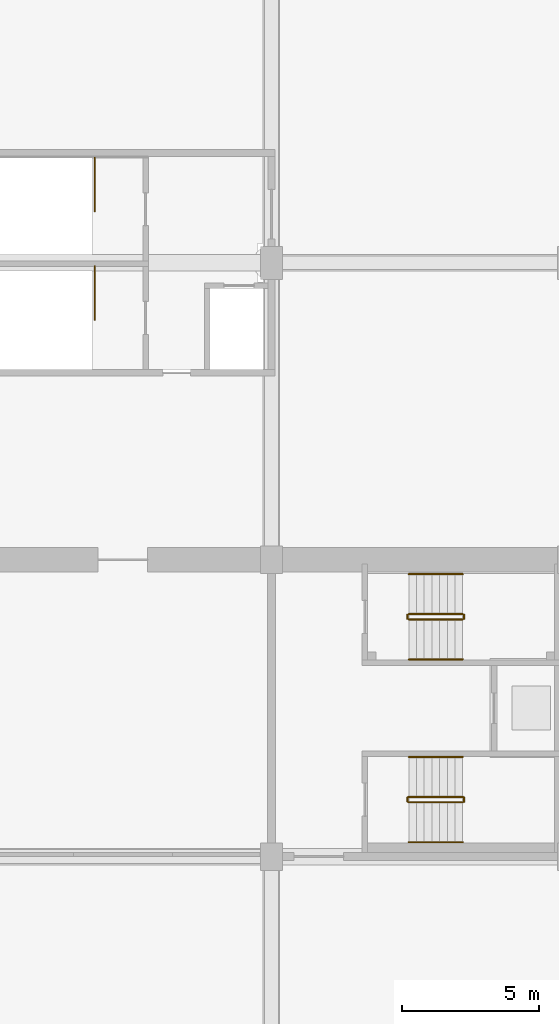
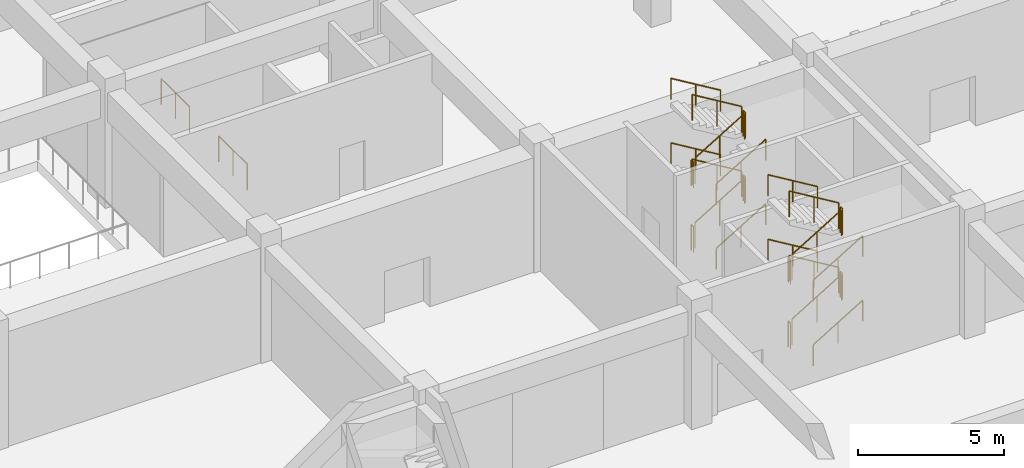
# One storey, part 86 of 101: 26 railings.
"""IFC4 building model written with IfcOpenShell, lengths in metres."""

from ifc_helpers import new_model, si_unit, direction, frame, origin, origin_2d, place, context, subcontext, project, spatial, circle, extrude, material, type_object, element, save


model = new_model("IFC4")

# Units and contexts
model_context = context("Model", 3, precision=1e-05, world=origin(), true_north=direction((0.0, 1.0)))
body_context = subcontext(model_context, "Body", "Model", "MODEL_VIEW")
ifc_project = project(units=[si_unit("LENGTHUNIT", "METRE"), si_unit("AREAUNIT", "SQUARE_METRE"), si_unit("VOLUMEUNIT", "CUBIC_METRE"), si_unit("PLANEANGLEUNIT", "RADIAN"), si_unit("MASSUNIT", "GRAM", prefix="KILO")], contexts=[model_context])

# Site, building, storey
site_placement = place(None, origin())
site = spatial("IfcSite", under=ifc_project, at=site_placement, CompositionType="ELEMENT")
building_placement = place(site_placement, origin())
building = spatial("IfcBuilding", under=site, at=building_placement, Name="Magnolia Steps Interchange", CompositionType="ELEMENT")
storey_placement = place(building_placement, frame((0.0, 0.0, -5.39990234375)))
storey = spatial("IfcBuildingStorey", under=building, at=storey_placement, Name="B1", CompositionType="ELEMENT", Elevation=-5.39990234375)

# Railings
ifc_material_1 = material(Name="Stainless steel grade 304", Category="steel")
railing_type_1 = type_object("IfcRailingType", Name="Stair guard 1100", PredefinedType="GUARDRAIL", material=ifc_material_1)
railing_1_placement = place(storey_placement, frame((112.199951171875, 51.02587890625, 0.168701171875)))
element("IfcRailing", 1, at=railing_1_placement, inside=storey, type_object=railing_type_1, Name="B1 ST7 stair guard 1", PredefinedType="GUARDRAIL", context=body_context, shape_type="SweptSolid", body=[
    extrude(circle(Radius=0.02392578125, at=origin_2d()), frame((0.0, 0.0, 1.076171875), z_axis=(0.856493463811, 0.0, 0.516157869696), x_axis=(0.0, 1.0, 0.0)), (0.0, 0.0, 1.0), 2.288330078125),
    extrude(circle(Radius=0.02099609375, at=origin_2d()), origin(), (0.0, 0.0, 1.0), 1.052001953125),
    extrude(circle(Radius=0.02099609375, at=origin_2d()), frame((0.97998046875, 0.0, 0.590576171875)), (0.0, 0.0, 1.0), 1.052001953125),
    extrude(circle(Radius=0.02099609375, at=origin_2d()), frame((1.9599609375, 0.0, 1.18115234375)), (0.0, 0.0, 1.0), 1.052001953125),
])
railing_2_placement = place(storey_placement, frame((114.2099609375, 51.050048828125, 1.349853515625)))
element("IfcRailing", 2, at=railing_2_placement, inside=storey, type_object=railing_type_1, Name="B1 ST7 stair guard 2", PredefinedType="GUARDRAIL", context=body_context, shape_type="SweptSolid", body=[
    extrude(circle(Radius=0.02392578125, at=origin_2d()), frame((0.0, 0.0, 1.076171875), z_axis=(0.0, 1.0, 0.0), x_axis=(-1.0, 0.0, 0.0)), (0.0, 0.0, 1.0), 0.14990234375),
    extrude(circle(Radius=0.02099609375, at=origin_2d()), origin(), (0.0, 0.0, 1.0), 1.052001953125),
    extrude(circle(Radius=0.02099609375, at=origin_2d()), frame((0.0, 0.14990234375, 0.0)), (0.0, 0.0, 1.0), 1.052001953125),
])
railing_3_placement = place(storey_placement, frame((114.159912109375, 51.22412109375, 1.5185546875)))
element("IfcRailing", 3, at=railing_3_placement, inside=storey, type_object=railing_type_1, Name="B1 ST7 stair guard 3", PredefinedType="GUARDRAIL", context=body_context, shape_type="SweptSolid", body=[
    extrude(circle(Radius=0.02392578125, at=origin_2d()), frame((0.0, 0.0, 1.076171875), z_axis=(-0.856446297458, 0.0, 0.516236127728), x_axis=(0.0, -1.0, 0.0)), (0.0, 0.0, 1.0), 2.28857421875),
    extrude(circle(Radius=0.02099609375, at=origin_2d()), origin(), (0.0, 0.0, 1.0), 1.052001953125),
    extrude(circle(Radius=0.02099609375, at=origin_2d()), frame((-0.97998046875, 0.0, 0.5908203125)), (0.0, 0.0, 1.0), 1.052001953125),
    extrude(circle(Radius=0.02099609375, at=origin_2d()), frame((-1.9599609375, 0.0, 1.181396484375)), (0.0, 0.0, 1.0), 1.052001953125),
])
railing_4_placement = place(storey_placement, frame((112.14990234375, 51.050048828125, 2.699951171875)))
element("IfcRailing", 4, at=railing_4_placement, inside=storey, type_object=railing_type_1, Name="B1 ST7 stair guard 4", PredefinedType="GUARDRAIL", context=body_context, shape_type="SweptSolid", body=[
    extrude(circle(Radius=0.02392578125, at=origin_2d()), frame((0.0, 0.0, 1.076171875), z_axis=(0.0, 1.0, 0.0), x_axis=(-1.0, 0.0, 0.0)), (0.0, 0.0, 1.0), 0.14990234375),
    extrude(circle(Radius=0.02099609375, at=origin_2d()), origin(), (0.0, 0.0, 1.0), 1.052001953125),
    extrude(circle(Radius=0.02099609375, at=origin_2d()), frame((0.0, 0.14990234375, 0.0)), (0.0, 0.0, 1.0), 1.052001953125),
])
railing_5_placement = place(storey_placement, frame((112.199951171875, 51.02587890625, 2.86865234375)))
element("IfcRailing", 5, at=railing_5_placement, inside=storey, type_object=railing_type_1, Name="B1 ST7 stair guard 5", PredefinedType="GUARDRAIL", context=body_context, shape_type="SweptSolid", body=[
    extrude(circle(Radius=0.02392578125, at=origin_2d()), frame((0.0, 0.0, 1.076171875), z_axis=(0.856493463811, 0.0, 0.516157869696), x_axis=(0.0, 1.0, 0.0)), (0.0, 0.0, 1.0), 2.288330078125),
    extrude(circle(Radius=0.02099609375, at=origin_2d()), origin(), (0.0, 0.0, 1.0), 1.052001953125),
    extrude(circle(Radius=0.02099609375, at=origin_2d()), frame((0.97998046875, 0.0, 0.590576171875)), (0.0, 0.0, 1.0), 1.052001953125),
    extrude(circle(Radius=0.02099609375, at=origin_2d()), frame((1.9599609375, 0.0, 1.18115234375)), (0.0, 0.0, 1.0), 1.052001953125),
])
railing_6_placement = place(storey_placement, frame((114.2099609375, 51.050048828125, 4.0498046875)))
element("IfcRailing", 6, at=railing_6_placement, inside=storey, type_object=railing_type_1, Name="B1 ST7 stair guard 6", PredefinedType="GUARDRAIL", context=body_context, shape_type="SweptSolid", body=[
    extrude(circle(Radius=0.02392578125, at=origin_2d()), frame((0.0, 0.0, 1.076171875), z_axis=(0.0, 1.0, 0.0), x_axis=(-1.0, 0.0, 0.0)), (0.0, 0.0, 1.0), 0.14990234375),
    extrude(circle(Radius=0.02099609375, at=origin_2d()), origin(), (0.0, 0.0, 1.0), 1.052001953125),
    extrude(circle(Radius=0.02099609375, at=origin_2d()), frame((0.0, 0.14990234375, 0.0)), (0.0, 0.0, 1.0), 1.052001953125),
])
railing_7_placement = place(storey_placement, frame((114.159912109375, 51.22412109375, 4.21875)))
element("IfcRailing", 7, at=railing_7_placement, inside=storey, type_object=railing_type_1, Name="B1 ST7 stair guard 7", PredefinedType="GUARDRAIL", context=body_context, shape_type="SweptSolid", body=[
    extrude(circle(Radius=0.02392578125, at=origin_2d()), frame((0.0, 0.0, 1.076171875), z_axis=(-0.856493463811, 0.0, 0.516157869696), x_axis=(0.0, -1.0, 0.0)), (0.0, 0.0, 1.0), 2.288330078125),
    extrude(circle(Radius=0.02099609375, at=origin_2d()), origin(), (0.0, 0.0, 1.0), 1.052001953125),
    extrude(circle(Radius=0.02099609375, at=origin_2d()), frame((-0.97998046875, 0.0, 0.590576171875)), (0.0, 0.0, 1.0), 1.052001953125),
    extrude(circle(Radius=0.02099609375, at=origin_2d()), frame((-1.9599609375, 0.0, 1.18115234375)), (0.0, 0.0, 1.0), 1.052001953125),
])
railing_8_placement = place(storey_placement, frame((112.14990234375, 51.050048828125, 0.0)))
element("IfcRailing", 8, at=railing_8_placement, inside=storey, type_object=railing_type_1, Name="B1 ST7 stair guard 8", PredefinedType="GUARDRAIL", context=body_context, shape_type="SweptSolid", body=[
    extrude(circle(Radius=0.02392578125, at=origin_2d()), frame((0.0, 0.0, 1.076171875), z_axis=(0.0, 1.0, 0.0), x_axis=(-1.0, 0.0, 0.0)), (0.0, 0.0, 1.0), 0.14990234375),
    extrude(circle(Radius=0.02099609375, at=origin_2d()), origin(), (0.0, 0.0, 1.0), 1.052001953125),
    extrude(circle(Radius=0.02099609375, at=origin_2d()), frame((0.0, 0.14990234375, 0.0)), (0.0, 0.0, 1.0), 1.052001953125),
])
railing_9_placement = place(storey_placement, frame((112.199951171875, 44.3759765625, 0.168701171875)))
element("IfcRailing", 9, at=railing_9_placement, inside=storey, type_object=railing_type_1, Name="B1 ST8 stair guard 1", PredefinedType="GUARDRAIL", context=body_context, shape_type="SweptSolid", body=[
    extrude(circle(Radius=0.02392578125, at=origin_2d()), frame((0.0, 0.0, 1.076171875), z_axis=(0.856493463811, 0.0, 0.516157869696), x_axis=(0.0, 1.0, 0.0)), (0.0, 0.0, 1.0), 2.288330078125),
    extrude(circle(Radius=0.02099609375, at=origin_2d()), origin(), (0.0, 0.0, 1.0), 1.052001953125),
    extrude(circle(Radius=0.02099609375, at=origin_2d()), frame((0.97998046875, 0.0, 0.590576171875)), (0.0, 0.0, 1.0), 1.052001953125),
    extrude(circle(Radius=0.02099609375, at=origin_2d()), frame((1.9599609375, 0.0, 1.18115234375)), (0.0, 0.0, 1.0), 1.052001953125),
])
railing_10_placement = place(storey_placement, frame((114.2099609375, 44.39990234375, 1.349853515625)))
element("IfcRailing", 10, at=railing_10_placement, inside=storey, type_object=railing_type_1, Name="B1 ST8 stair guard 2", PredefinedType="GUARDRAIL", context=body_context, shape_type="SweptSolid", body=[
    extrude(circle(Radius=0.02392578125, at=origin_2d()), frame((0.0, 0.0, 1.076171875), z_axis=(0.0, 1.0, 0.0), x_axis=(-1.0, 0.0, 0.0)), (0.0, 0.0, 1.0), 0.150146484375),
    extrude(circle(Radius=0.02099609375, at=origin_2d()), origin(), (0.0, 0.0, 1.0), 1.052001953125),
    extrude(circle(Radius=0.02099609375, at=origin_2d()), frame((0.0, 0.150146484375, 0.0)), (0.0, 0.0, 1.0), 1.052001953125),
])
railing_11_placement = place(storey_placement, frame((114.159912109375, 44.573974609375, 1.5185546875)))
element("IfcRailing", 11, at=railing_11_placement, inside=storey, type_object=railing_type_1, Name="B1 ST8 stair guard 3", PredefinedType="GUARDRAIL", context=body_context, shape_type="SweptSolid", body=[
    extrude(circle(Radius=0.02392578125, at=origin_2d()), frame((0.0, 0.0, 1.076171875), z_axis=(-0.856446297458, 0.0, 0.516236127728), x_axis=(0.0, -1.0, 0.0)), (0.0, 0.0, 1.0), 2.28857421875),
    extrude(circle(Radius=0.02099609375, at=origin_2d()), origin(), (0.0, 0.0, 1.0), 1.052001953125),
    extrude(circle(Radius=0.02099609375, at=origin_2d()), frame((-0.97998046875, 0.0, 0.5908203125)), (0.0, 0.0, 1.0), 1.052001953125),
    extrude(circle(Radius=0.02099609375, at=origin_2d()), frame((-1.9599609375, 0.0, 1.181396484375)), (0.0, 0.0, 1.0), 1.052001953125),
])
railing_12_placement = place(storey_placement, frame((112.14990234375, 44.39990234375, 2.699951171875)))
element("IfcRailing", 12, at=railing_12_placement, inside=storey, type_object=railing_type_1, Name="B1 ST8 stair guard 4", PredefinedType="GUARDRAIL", context=body_context, shape_type="SweptSolid", body=[
    extrude(circle(Radius=0.02392578125, at=origin_2d()), frame((0.0, 0.0, 1.076171875), z_axis=(0.0, 1.0, 0.0), x_axis=(-1.0, 0.0, 0.0)), (0.0, 0.0, 1.0), 0.150146484375),
    extrude(circle(Radius=0.02099609375, at=origin_2d()), origin(), (0.0, 0.0, 1.0), 1.052001953125),
    extrude(circle(Radius=0.02099609375, at=origin_2d()), frame((0.0, 0.150146484375, 0.0)), (0.0, 0.0, 1.0), 1.052001953125),
])
railing_13_placement = place(storey_placement, frame((112.199951171875, 44.3759765625, 2.86865234375)))
element("IfcRailing", 13, at=railing_13_placement, inside=storey, type_object=railing_type_1, Name="B1 ST8 stair guard 5", PredefinedType="GUARDRAIL", context=body_context, shape_type="SweptSolid", body=[
    extrude(circle(Radius=0.02392578125, at=origin_2d()), frame((0.0, 0.0, 1.076171875), z_axis=(0.856493463811, 0.0, 0.516157869696), x_axis=(0.0, 1.0, 0.0)), (0.0, 0.0, 1.0), 2.288330078125),
    extrude(circle(Radius=0.02099609375, at=origin_2d()), origin(), (0.0, 0.0, 1.0), 1.052001953125),
    extrude(circle(Radius=0.02099609375, at=origin_2d()), frame((0.97998046875, 0.0, 0.590576171875)), (0.0, 0.0, 1.0), 1.052001953125),
    extrude(circle(Radius=0.02099609375, at=origin_2d()), frame((1.9599609375, 0.0, 1.18115234375)), (0.0, 0.0, 1.0), 1.052001953125),
])
railing_14_placement = place(storey_placement, frame((114.2099609375, 44.39990234375, 4.0498046875)))
element("IfcRailing", 14, at=railing_14_placement, inside=storey, type_object=railing_type_1, Name="B1 ST8 stair guard 6", PredefinedType="GUARDRAIL", context=body_context, shape_type="SweptSolid", body=[
    extrude(circle(Radius=0.02392578125, at=origin_2d()), frame((0.0, 0.0, 1.076171875), z_axis=(0.0, 1.0, 0.0), x_axis=(-1.0, 0.0, 0.0)), (0.0, 0.0, 1.0), 0.150146484375),
    extrude(circle(Radius=0.02099609375, at=origin_2d()), origin(), (0.0, 0.0, 1.0), 1.052001953125),
    extrude(circle(Radius=0.02099609375, at=origin_2d()), frame((0.0, 0.150146484375, 0.0)), (0.0, 0.0, 1.0), 1.052001953125),
])
railing_15_placement = place(storey_placement, frame((114.159912109375, 44.573974609375, 4.21875)))
element("IfcRailing", 15, at=railing_15_placement, inside=storey, type_object=railing_type_1, Name="B1 ST8 stair guard 7", PredefinedType="GUARDRAIL", context=body_context, shape_type="SweptSolid", body=[
    extrude(circle(Radius=0.02392578125, at=origin_2d()), frame((0.0, 0.0, 1.076171875), z_axis=(-0.856493463811, 0.0, 0.516157869696), x_axis=(0.0, -1.0, 0.0)), (0.0, 0.0, 1.0), 2.288330078125),
    extrude(circle(Radius=0.02099609375, at=origin_2d()), origin(), (0.0, 0.0, 1.0), 1.052001953125),
    extrude(circle(Radius=0.02099609375, at=origin_2d()), frame((-0.97998046875, 0.0, 0.590576171875)), (0.0, 0.0, 1.0), 1.052001953125),
    extrude(circle(Radius=0.02099609375, at=origin_2d()), frame((-1.9599609375, 0.0, 1.18115234375)), (0.0, 0.0, 1.0), 1.052001953125),
])
railing_16_placement = place(storey_placement, frame((112.14990234375, 44.39990234375, 0.0)))
element("IfcRailing", 16, at=railing_16_placement, inside=storey, type_object=railing_type_1, Name="B1 ST8 stair guard 8", PredefinedType="GUARDRAIL", context=body_context, shape_type="SweptSolid", body=[
    extrude(circle(Radius=0.02392578125, at=origin_2d()), frame((0.0, 0.0, 1.076171875), z_axis=(0.0, 1.0, 0.0), x_axis=(-1.0, 0.0, 0.0)), (0.0, 0.0, 1.0), 0.150146484375),
    extrude(circle(Radius=0.02099609375, at=origin_2d()), origin(), (0.0, 0.0, 1.0), 1.052001953125),
    extrude(circle(Radius=0.02099609375, at=origin_2d()), frame((0.0, 0.150146484375, 0.0)), (0.0, 0.0, 1.0), 1.052001953125),
])
for number, where, name in (
    (17, (100.77490234375, 63.875, 0.0), "B1 ST11 top well guard 1"),
    (18, (100.77490234375, 67.824951171875, 0.0), "B1 ST12 top well guard 1"),
):
    element("IfcRailing", number, at=place(storey_placement, frame(where)), inside=storey, type_object=railing_type_1, Name=name, PredefinedType="GUARDRAIL", context=body_context, shape_type="SweptSolid", body=[
        extrude(circle(Radius=0.02392578125, at=origin_2d()), frame((0.0, 0.0, 1.076171875), z_axis=(0.0, -1.0, 0.0), x_axis=(1.0, 0.0, 0.0)), (0.0, 0.0, 1.0), 1.949951171875),
        extrude(circle(Radius=0.02099609375, at=origin_2d()), origin(), (0.0, 0.0, 1.0), 1.052001953125),
        extrude(circle(Radius=0.02099609375, at=origin_2d()), frame((0.0, -0.97509765625, 0.0)), (0.0, 0.0, 1.0), 1.052001953125),
        extrude(circle(Radius=0.02099609375, at=origin_2d()), frame((0.0, -1.949951171875, 0.0)), (0.0, 0.0, 1.0), 1.052001953125),
    ])
ifc_material_2 = material(Name="Stainless steel grade 304", Category="steel")
railing_type_2 = type_object("IfcRailingType", Name="Stair handrail 900", PredefinedType="HANDRAIL", material=ifc_material_2)
railing_17_placement = place(storey_placement, frame((112.199951171875, 49.573974609375, 0.168701171875)))
element("IfcRailing", 19, at=railing_17_placement, inside=storey, type_object=railing_type_2, Name="B1 ST7 stair handrail 1", PredefinedType="HANDRAIL", context=body_context, shape_type="SweptSolid", body=[
    extrude(circle(Radius=0.02392578125, at=origin_2d()), frame((0.0, 0.0, 0.8759765625), z_axis=(0.856493463811, 0.0, 0.516157869696), x_axis=(0.0, 1.0, 0.0)), (0.0, 0.0, 1.0), 2.288330078125),
    extrude(circle(Radius=0.02099609375, at=origin_2d()), origin(), (0.0, 0.0, 1.0), 0.851806640625),
    extrude(circle(Radius=0.02099609375, at=origin_2d()), frame((0.97998046875, 0.0, 0.590576171875)), (0.0, 0.0, 1.0), 0.851806640625),
    extrude(circle(Radius=0.02099609375, at=origin_2d()), frame((1.9599609375, 0.0, 1.18115234375)), (0.0, 0.0, 1.0), 0.851806640625),
])
railing_18_placement = place(storey_placement, frame((114.159912109375, 52.676025390625, 1.5185546875)))
element("IfcRailing", 20, at=railing_18_placement, inside=storey, type_object=railing_type_2, Name="B1 ST7 stair handrail 2", PredefinedType="HANDRAIL", context=body_context, shape_type="SweptSolid", body=[
    extrude(circle(Radius=0.02392578125, at=origin_2d()), frame((0.0, 0.0, 0.8759765625), z_axis=(-0.856446297458, 0.0, 0.516236127728), x_axis=(0.0, -1.0, 0.0)), (0.0, 0.0, 1.0), 2.28857421875),
    extrude(circle(Radius=0.02099609375, at=origin_2d()), origin(), (0.0, 0.0, 1.0), 0.851806640625),
    extrude(circle(Radius=0.02099609375, at=origin_2d()), frame((-0.97998046875, 0.0, 0.5908203125)), (0.0, 0.0, 1.0), 0.851806640625),
    extrude(circle(Radius=0.02099609375, at=origin_2d()), frame((-1.9599609375, 0.0, 1.181396484375)), (0.0, 0.0, 1.0), 0.851806640625),
])
railing_19_placement = place(storey_placement, frame((112.199951171875, 49.573974609375, 2.86865234375)))
element("IfcRailing", 21, at=railing_19_placement, inside=storey, type_object=railing_type_2, Name="B1 ST7 stair handrail 3", PredefinedType="HANDRAIL", context=body_context, shape_type="SweptSolid", body=[
    extrude(circle(Radius=0.02392578125, at=origin_2d()), frame((0.0, 0.0, 0.8759765625), z_axis=(0.856493463811, 0.0, 0.516157869696), x_axis=(0.0, 1.0, 0.0)), (0.0, 0.0, 1.0), 2.288330078125),
    extrude(circle(Radius=0.02099609375, at=origin_2d()), origin(), (0.0, 0.0, 1.0), 0.851806640625),
    extrude(circle(Radius=0.02099609375, at=origin_2d()), frame((0.97998046875, 0.0, 0.590576171875)), (0.0, 0.0, 1.0), 0.851806640625),
    extrude(circle(Radius=0.02099609375, at=origin_2d()), frame((1.9599609375, 0.0, 1.18115234375)), (0.0, 0.0, 1.0), 0.851806640625),
])
railing_20_placement = place(storey_placement, frame((114.159912109375, 52.676025390625, 4.21875)))
element("IfcRailing", 22, at=railing_20_placement, inside=storey, type_object=railing_type_2, Name="B1 ST7 stair handrail 4", PredefinedType="HANDRAIL", context=body_context, shape_type="SweptSolid", body=[
    extrude(circle(Radius=0.02392578125, at=origin_2d()), frame((0.0, 0.0, 0.8759765625), z_axis=(-0.856493463811, 0.0, 0.516157869696), x_axis=(0.0, -1.0, 0.0)), (0.0, 0.0, 1.0), 2.288330078125),
    extrude(circle(Radius=0.02099609375, at=origin_2d()), origin(), (0.0, 0.0, 1.0), 0.851806640625),
    extrude(circle(Radius=0.02099609375, at=origin_2d()), frame((-0.97998046875, 0.0, 0.590576171875)), (0.0, 0.0, 1.0), 0.851806640625),
    extrude(circle(Radius=0.02099609375, at=origin_2d()), frame((-1.9599609375, 0.0, 1.18115234375)), (0.0, 0.0, 1.0), 0.851806640625),
])
railing_21_placement = place(storey_placement, frame((112.199951171875, 42.924072265625, 0.168701171875)))
element("IfcRailing", 23, at=railing_21_placement, inside=storey, type_object=railing_type_2, Name="B1 ST8 stair handrail 1", PredefinedType="HANDRAIL", context=body_context, shape_type="SweptSolid", body=[
    extrude(circle(Radius=0.02392578125, at=origin_2d()), frame((0.0, 0.0, 0.8759765625), z_axis=(0.856493463811, 0.0, 0.516157869696), x_axis=(0.0, 1.0, 0.0)), (0.0, 0.0, 1.0), 2.288330078125),
    extrude(circle(Radius=0.02099609375, at=origin_2d()), origin(), (0.0, 0.0, 1.0), 0.851806640625),
    extrude(circle(Radius=0.02099609375, at=origin_2d()), frame((0.97998046875, 0.0, 0.590576171875)), (0.0, 0.0, 1.0), 0.851806640625),
    extrude(circle(Radius=0.02099609375, at=origin_2d()), frame((1.9599609375, 0.0, 1.18115234375)), (0.0, 0.0, 1.0), 0.851806640625),
])
railing_22_placement = place(storey_placement, frame((114.159912109375, 46.02587890625, 1.5185546875)))
element("IfcRailing", 24, at=railing_22_placement, inside=storey, type_object=railing_type_2, Name="B1 ST8 stair handrail 2", PredefinedType="HANDRAIL", context=body_context, shape_type="SweptSolid", body=[
    extrude(circle(Radius=0.02392578125, at=origin_2d()), frame((0.0, 0.0, 0.8759765625), z_axis=(-0.856446297458, 0.0, 0.516236127728), x_axis=(0.0, -1.0, 0.0)), (0.0, 0.0, 1.0), 2.28857421875),
    extrude(circle(Radius=0.02099609375, at=origin_2d()), origin(), (0.0, 0.0, 1.0), 0.851806640625),
    extrude(circle(Radius=0.02099609375, at=origin_2d()), frame((-0.97998046875, 0.0, 0.5908203125)), (0.0, 0.0, 1.0), 0.851806640625),
    extrude(circle(Radius=0.02099609375, at=origin_2d()), frame((-1.9599609375, 0.0, 1.181396484375)), (0.0, 0.0, 1.0), 0.851806640625),
])
railing_23_placement = place(storey_placement, frame((112.199951171875, 42.924072265625, 2.86865234375)))
element("IfcRailing", 25, at=railing_23_placement, inside=storey, type_object=railing_type_2, Name="B1 ST8 stair handrail 3", PredefinedType="HANDRAIL", context=body_context, shape_type="SweptSolid", body=[
    extrude(circle(Radius=0.02392578125, at=origin_2d()), frame((0.0, 0.0, 0.8759765625), z_axis=(0.856493463811, 0.0, 0.516157869696), x_axis=(0.0, 1.0, 0.0)), (0.0, 0.0, 1.0), 2.288330078125),
    extrude(circle(Radius=0.02099609375, at=origin_2d()), origin(), (0.0, 0.0, 1.0), 0.851806640625),
    extrude(circle(Radius=0.02099609375, at=origin_2d()), frame((0.97998046875, 0.0, 0.590576171875)), (0.0, 0.0, 1.0), 0.851806640625),
    extrude(circle(Radius=0.02099609375, at=origin_2d()), frame((1.9599609375, 0.0, 1.18115234375)), (0.0, 0.0, 1.0), 0.851806640625),
])
railing_24_placement = place(storey_placement, frame((114.159912109375, 46.02587890625, 4.21875)))
element("IfcRailing", 26, at=railing_24_placement, inside=storey, type_object=railing_type_2, Name="B1 ST8 stair handrail 4", PredefinedType="HANDRAIL", context=body_context, shape_type="SweptSolid", body=[
    extrude(circle(Radius=0.02392578125, at=origin_2d()), frame((0.0, 0.0, 0.8759765625), z_axis=(-0.856493463811, 0.0, 0.516157869696), x_axis=(0.0, -1.0, 0.0)), (0.0, 0.0, 1.0), 2.288330078125),
    extrude(circle(Radius=0.02099609375, at=origin_2d()), origin(), (0.0, 0.0, 1.0), 0.851806640625),
    extrude(circle(Radius=0.02099609375, at=origin_2d()), frame((-0.97998046875, 0.0, 0.590576171875)), (0.0, 0.0, 1.0), 0.851806640625),
    extrude(circle(Radius=0.02099609375, at=origin_2d()), frame((-1.9599609375, 0.0, 1.18115234375)), (0.0, 0.0, 1.0), 0.851806640625),
])

save(model, "model.ifc")
